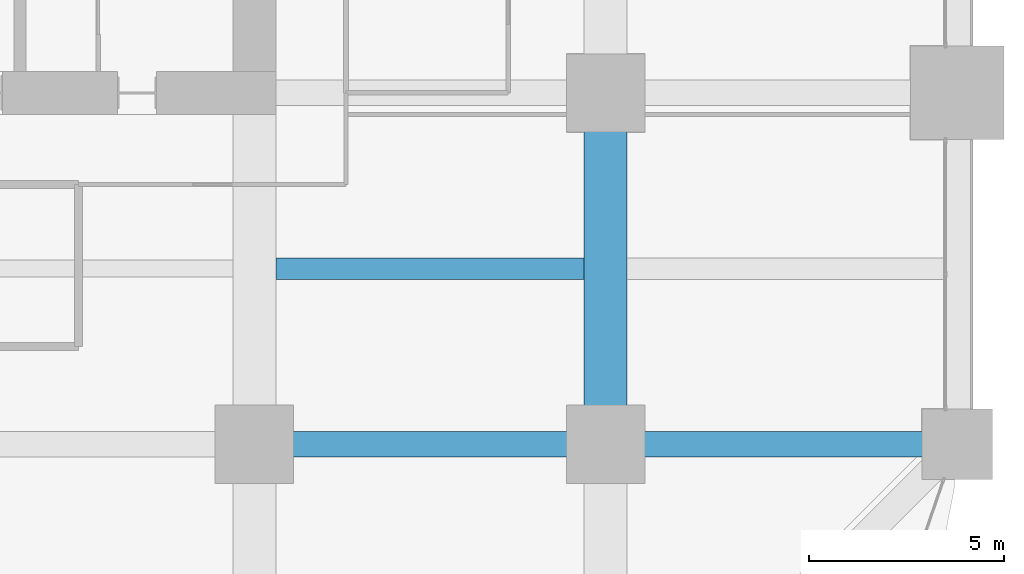
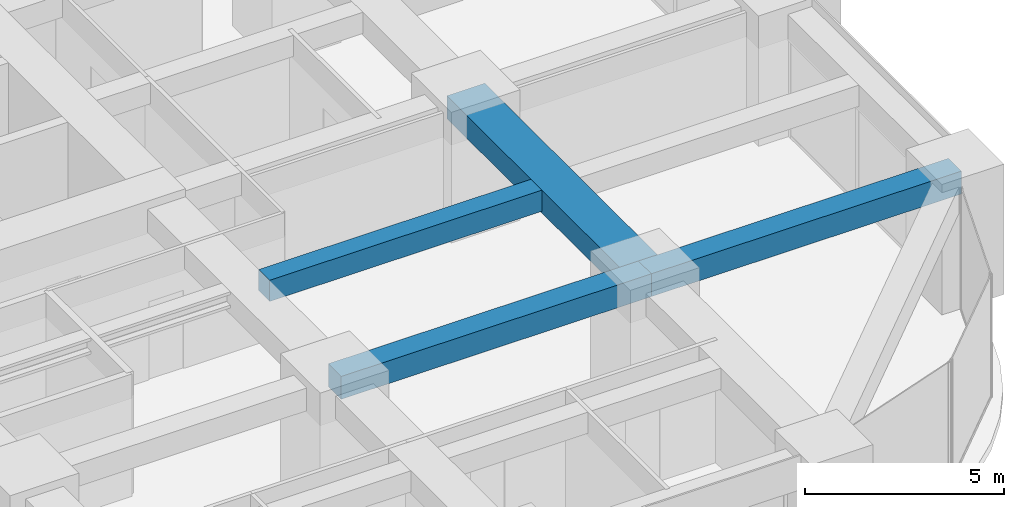
# One storey, part 18 of 41: 4 beams.
"""IFC4 building model written with IfcOpenShell, lengths in metres."""

from ifc_helpers import new_model, si_unit, direction, frame, origin, origin_2d, place, context, subcontext, project, spatial, rectangle, extrude, material, material_profile, profile_set, type_object, element, save


model = new_model("IFC4")

# Units and contexts
model_context = context("Model", 3, precision=1e-05, world=origin(), true_north=direction((0.0, 1.0)))
body_context = subcontext(model_context, "Body", "Model", "MODEL_VIEW")
ifc_project = project(units=[si_unit("LENGTHUNIT", "METRE"), si_unit("AREAUNIT", "SQUARE_METRE"), si_unit("VOLUMEUNIT", "CUBIC_METRE"), si_unit("PLANEANGLEUNIT", "RADIAN"), si_unit("MASSUNIT", "GRAM", prefix="KILO")], contexts=[model_context])

# Site, building, storey
site_placement = place(None, origin())
site = spatial("IfcSite", under=ifc_project, at=site_placement, CompositionType="ELEMENT")
building_placement = place(site_placement, origin())
building = spatial("IfcBuilding", under=site, at=building_placement, Name="Zorevar Civic Tower", CompositionType="ELEMENT")
storey_placement = place(building_placement, frame((0.0, 0.0, 105.0)))
storey = spatial("IfcBuildingStorey", under=building, at=storey_placement, Name="L25", CompositionType="ELEMENT", Elevation=105.0)

# Beams
ifc_material_1 = material(Name="Concrete C50/60", Category="concrete")
ifc_material_profile_1 = material_profile(ifc_material_1, rectangle(XDim=1.10009765625, YDim=0.699951171875, at=origin_2d()), Name="RC 1100x700")
ifc_profile_set_1 = profile_set([ifc_material_profile_1], Name="Concrete C50/60")
beam_type_1 = type_object("IfcBeamType", Name="Beam RC 1100x700", PredefinedType="BEAM", material=ifc_profile_set_1)
beam_1_placement = place(storey_placement, frame((54.0, 9.0, 3.39990234375), z_axis=(0.0, 1.0, 0.0), x_axis=(-1.0, 0.0, 0.0)))
element("IfcBeam", 1, at=beam_1_placement, inside=storey, type_object=beam_type_1, Name="Girder L26", PredefinedType="BEAM", context=body_context, shape_type="SweptSolid", body=[
    extrude(rectangle(XDim=1.10009765625, YDim=0.699951171875, at=origin_2d()), origin(), (0.0, 0.0, 1.0), 9.0),
])
ifc_material_2 = material(Name="Concrete C50/60", Category="concrete")
ifc_material_profile_2 = material_profile(ifc_material_2, rectangle(XDim=0.550048828125, YDim=0.64990234375, at=origin_2d()), Name="RC 550x650")
ifc_profile_set_2 = profile_set([ifc_material_profile_2], Name="Concrete C50/60")
beam_type_2 = type_object("IfcBeamType", Name="Beam RC 550x650", PredefinedType="BEAM", material=ifc_profile_set_2)
beam_2_placement = place(storey_placement, frame((45.550048828125, 13.5, 3.425048828125), z_axis=(1.0, 0.0, 0.0), x_axis=(0.0, 1.0, 0.0)))
element("IfcBeam", 2, at=beam_2_placement, inside=storey, type_object=beam_type_2, Name="Secondary beam L26", PredefinedType="BEAM", context=body_context, shape_type="SweptSolid", body=[
    extrude(rectangle(XDim=0.550048828125, YDim=0.64990234375, at=origin_2d()), origin(), (0.0, 0.0, 1.0), 7.89990234375),
])
ifc_material_3 = material(Name="Concrete C50/60", Category="concrete")
ifc_material_profile_3 = material_profile(ifc_material_3, rectangle(XDim=0.64990234375, YDim=0.699951171875, at=origin_2d()), Name="RC 650x700")
ifc_profile_set_3 = profile_set([ifc_material_profile_3], Name="Concrete C50/60")
beam_type_3 = type_object("IfcBeamType", Name="Beam RC 650x700", PredefinedType="BEAM", material=ifc_profile_set_3)
for number, where, z_axis, x_axis, name in (
    (3, (45.0, 9.0, 3.39990234375), (1.0, 0.0, 0.0), (0.0, 1.0, 0.0), "Girder L26"),
    (4, (54.0, 9.0, 3.39990234375), (1.0, 0.0, 0.0), (0.0, 1.0, 0.0), "Girder L26"),
):
    element("IfcBeam", number, at=place(storey_placement, frame(where, z_axis=z_axis, x_axis=x_axis)), inside=storey, type_object=beam_type_3, Name=name, PredefinedType="BEAM", context=body_context, shape_type="SweptSolid", body=[
        extrude(rectangle(XDim=0.64990234375, YDim=0.699951171875, at=origin_2d()), origin(), (0.0, 0.0, 1.0), 9.0),
    ])

save(model, "model.ifc")
